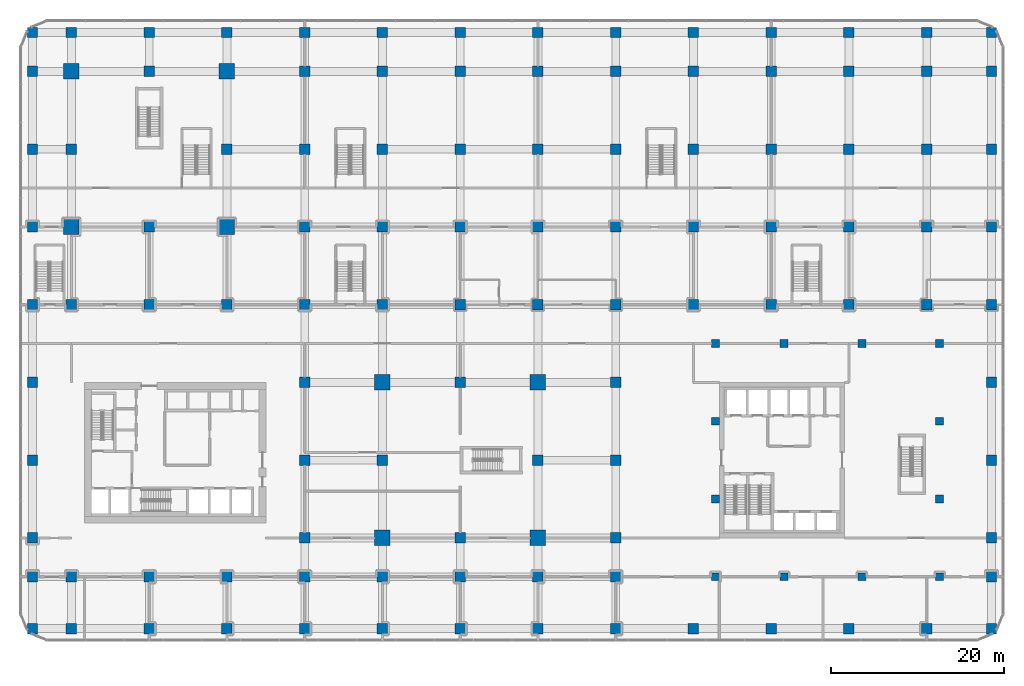
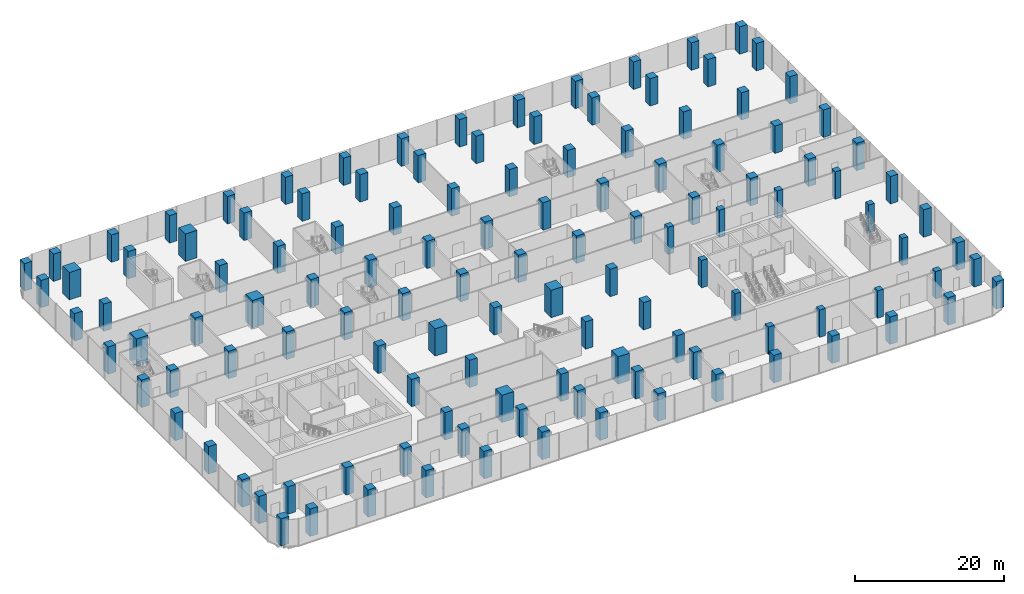
# One storey, part 1 of 43: 125 columns.
"""IFC4 building model written with IfcOpenShell, lengths in metres."""

from ifc_helpers import new_model, si_unit, direction, frame, origin, origin_2d, place, context, subcontext, project, spatial, rectangle, extrude, material, material_profile, profile_set, type_object, element, save


model = new_model("IFC4")

# Units and contexts
model_context = context("Model", 3, precision=1e-05, world=origin(), true_north=direction((0.0, 1.0)))
body_context = subcontext(model_context, "Body", "Model", "MODEL_VIEW")
ifc_project = project(units=[si_unit("LENGTHUNIT", "METRE"), si_unit("AREAUNIT", "SQUARE_METRE"), si_unit("VOLUMEUNIT", "CUBIC_METRE"), si_unit("PLANEANGLEUNIT", "RADIAN"), si_unit("MASSUNIT", "GRAM", prefix="KILO")], contexts=[model_context])

# Site, building, storey
site_placement = place(None, origin())
site = spatial("IfcSite", under=ifc_project, at=site_placement, CompositionType="ELEMENT")
building_placement = place(site_placement, origin())
building = spatial("IfcBuilding", under=site, at=building_placement, Name="Plateau Cross Towers", CompositionType="ELEMENT")
storey_placement = place(building_placement, frame((0.0, 0.0, 17.300048828125)))
storey = spatial("IfcBuildingStorey", under=building, at=storey_placement, Name="L03", CompositionType="ELEMENT", Elevation=17.300048828125)

# Columns
ifc_material = material(Name="Concrete C60/75", Category="concrete")
ifc_material_profile_1 = material_profile(ifc_material, rectangle(XDim=0.89990234375, YDim=0.89990234375, at=origin_2d()), Name="RC 900x900")
ifc_profile_set_1 = profile_set([ifc_material_profile_1], Name="Concrete C60/75")
column_type_1 = type_object("IfcColumnType", Name="Office column RC 900x900", PredefinedType="COLUMN", material=ifc_profile_set_1)
for number, where, z_axis, x_axis, name in (
    (1, (74.550048828125, -4.5, 0.0), (0.0, 0.0, 1.0), (1.0, 0.0, 0.0), "B-C746_-45 L03"),
    (2, (82.5, -4.5, 0.0), (0.0, 0.0, 1.0), (1.0, 0.0, 0.0), "B-C825_-45 L03"),
    (3, (91.5, -4.5, 0.0), (0.0, 0.0, 1.0), (1.0, 0.0, 0.0), "B-C915_-45 L03"),
    (4, (100.5, -4.5, 0.0), (0.0, 0.0, 1.0), (1.0, 0.0, 0.0), "B-C1005_-45 L03"),
    (5, (100.5, 4.5, 0.0), (0.0, 0.0, 1.0), (1.0, 0.0, 0.0), "B-C1005_45 L03"),
    (6, (100.5, 13.5, 0.0), (0.0, 0.0, 1.0), (1.0, 0.0, 0.0), "B-C1005_135 L03"),
    (7, (100.5, 22.5, 0.0), (0.0, 0.0, 1.0), (1.0, 0.0, 0.0), "B-C1005_225 L03"),
    (8, (91.5, 22.5, 0.0), (0.0, 0.0, 1.0), (1.0, 0.0, 0.0), "B-C915_225 L03"),
    (9, (82.5, 22.5, 0.0), (0.0, 0.0, 1.0), (1.0, 0.0, 0.0), "B-C825_225 L03"),
    (10, (74.550048828125, 22.5, 0.0), (0.0, 0.0, 1.0), (1.0, 0.0, 0.0), "B-C746_225 L03"),
    (11, (74.550048828125, 13.5, 0.0), (0.0, 0.0, 1.0), (1.0, 0.0, 0.0), "B-C746_135 L03"),
    (12, (74.550048828125, 4.5, 0.0), (0.0, 0.0, 1.0), (1.0, 0.0, 0.0), "B-C746_45 L03"),
):
    element("IfcColumn", number, at=place(storey_placement, frame(where, z_axis=z_axis, x_axis=x_axis)), inside=storey, type_object=column_type_1, Name=name, PredefinedType="COLUMN", context=body_context, shape_type="SweptSolid", body=[
        extrude(rectangle(XDim=0.89990234375, YDim=0.89990234375, at=origin_2d()), origin(), (0.0, 0.0, 1.0), 4.5),
    ])
ifc_material_profile_2 = material_profile(ifc_material, rectangle(XDim=1.199951171875, YDim=1.199951171875, at=origin_2d()), Name="RC 1200x1200")
ifc_profile_set_2 = profile_set([ifc_material_profile_2], Name="Concrete C60/75")
column_type_2 = type_object("IfcColumnType", Name="Podium column RC 1200x1200", PredefinedType="COLUMN", material=ifc_profile_set_2)
for number, where, z_axis, x_axis, name in (
    (13, (-4.5, -10.5, 0.0), (0.0, 0.0, 1.0), (1.0, 0.0, 0.0), "P-C-45_-105 L03"),
    (14, (-4.5, -4.5, 0.0), (0.0, 0.0, 1.0), (1.0, 0.0, 0.0), "P-C-45_-45 L03"),
    (15, (-4.5, 0.0, 0.0), (0.0, 0.0, 1.0), (1.0, 0.0, 0.0), "P-C-45_0 L03"),
    (16, (-4.5, 9.0, 0.0), (0.0, 0.0, 1.0), (1.0, 0.0, 0.0), "P-C-45_90 L03"),
    (17, (-4.5, 18.0, 0.0), (0.0, 0.0, 1.0), (1.0, 0.0, 0.0), "P-C-45_180 L03"),
    (18, (-4.5, 27.0, 0.0), (0.0, 0.0, 1.0), (1.0, 0.0, 0.0), "P-C-45_270 L03"),
    (19, (-4.5, 36.0, 0.0), (0.0, 0.0, 1.0), (1.0, 0.0, 0.0), "P-C-45_360 L03"),
    (20, (-4.5, 45.0, 0.0), (0.0, 0.0, 1.0), (1.0, 0.0, 0.0), "P-C-45_450 L03"),
    (21, (-4.5, 54.0, 0.0), (0.0, 0.0, 1.0), (1.0, 0.0, 0.0), "P-C-45_540 L03"),
    (22, (-4.5, 58.5, 0.0), (0.0, 0.0, 1.0), (1.0, 0.0, 0.0), "P-C-45_585 L03"),
    (23, (0.0, -10.5, 0.0), (0.0, 0.0, 1.0), (1.0, 0.0, 0.0), "P-C0_-105 L03"),
    (24, (0.0, -4.5, 0.0), (0.0, 0.0, 1.0), (1.0, 0.0, 0.0), "P-C0_-45 L03"),
    (25, (0.0, 27.0, 0.0), (0.0, 0.0, 1.0), (1.0, 0.0, 0.0), "P-C0_270 L03"),
    (26, (0.0, 45.0, 0.0), (0.0, 0.0, 1.0), (1.0, 0.0, 0.0), "P-C0_450 L03"),
    (27, (0.0, 58.5, 0.0), (0.0, 0.0, 1.0), (1.0, 0.0, 0.0), "P-C0_585 L03"),
    (28, (9.0, -10.5, 0.0), (0.0, 0.0, 1.0), (1.0, 0.0, 0.0), "P-C90_-105 L03"),
    (29, (9.0, -4.5, 0.0), (0.0, 0.0, 1.0), (1.0, 0.0, 0.0), "P-C90_-45 L03"),
    (30, (9.0, 27.0, 0.0), (0.0, 0.0, 1.0), (1.0, 0.0, 0.0), "P-C90_270 L03"),
    (31, (9.0, 36.0, 0.0), (0.0, 0.0, 1.0), (1.0, 0.0, 0.0), "P-C90_360 L03"),
    (32, (9.0, 54.0, 0.0), (0.0, 0.0, 1.0), (1.0, 0.0, 0.0), "P-C90_540 L03"),
    (33, (9.0, 58.5, 0.0), (0.0, 0.0, 1.0), (1.0, 0.0, 0.0), "P-C90_585 L03"),
    (34, (18.0, -10.5, 0.0), (0.0, 0.0, 1.0), (1.0, 0.0, 0.0), "P-C180_-105 L03"),
    (35, (18.0, -4.5, 0.0), (0.0, 0.0, 1.0), (1.0, 0.0, 0.0), "P-C180_-45 L03"),
    (36, (18.0, 27.0, 0.0), (0.0, 0.0, 1.0), (1.0, 0.0, 0.0), "P-C180_270 L03"),
    (37, (18.0, 45.0, 0.0), (0.0, 0.0, 1.0), (1.0, 0.0, 0.0), "P-C180_450 L03"),
    (38, (18.0, 58.5, 0.0), (0.0, 0.0, 1.0), (1.0, 0.0, 0.0), "P-C180_585 L03"),
    (39, (27.0, -10.5, 0.0), (0.0, 0.0, 1.0), (1.0, 0.0, 0.0), "P-C270_-105 L03"),
    (40, (27.0, -4.5, 0.0), (0.0, 0.0, 1.0), (1.0, 0.0, 0.0), "P-C270_-45 L03"),
    (41, (27.0, 0.0, 0.0), (0.0, 0.0, 1.0), (1.0, 0.0, 0.0), "P-C270_0 L03"),
    (42, (27.0, 9.0, 0.0), (0.0, 0.0, 1.0), (1.0, 0.0, 0.0), "P-C270_90 L03"),
    (43, (27.0, 18.0, 0.0), (0.0, 0.0, 1.0), (1.0, 0.0, 0.0), "P-C270_180 L03"),
    (44, (27.0, 27.0, 0.0), (0.0, 0.0, 1.0), (1.0, 0.0, 0.0), "P-C270_270 L03"),
    (45, (27.0, 36.0, 0.0), (0.0, 0.0, 1.0), (1.0, 0.0, 0.0), "P-C270_360 L03"),
    (46, (27.0, 45.0, 0.0), (0.0, 0.0, 1.0), (1.0, 0.0, 0.0), "P-C270_450 L03"),
    (47, (27.0, 54.0, 0.0), (0.0, 0.0, 1.0), (1.0, 0.0, 0.0), "P-C270_540 L03"),
    (48, (27.0, 58.5, 0.0), (0.0, 0.0, 1.0), (1.0, 0.0, 0.0), "P-C270_585 L03"),
    (49, (36.0, -10.5, 0.0), (0.0, 0.0, 1.0), (1.0, 0.0, 0.0), "P-C360_-105 L03"),
    (50, (36.0, -4.5, 0.0), (0.0, 0.0, 1.0), (1.0, 0.0, 0.0), "P-C360_-45 L03"),
    (51, (36.0, 9.0, 0.0), (0.0, 0.0, 1.0), (1.0, 0.0, 0.0), "P-C360_90 L03"),
    (52, (36.0, 27.0, 0.0), (0.0, 0.0, 1.0), (1.0, 0.0, 0.0), "P-C360_270 L03"),
    (53, (36.0, 36.0, 0.0), (0.0, 0.0, 1.0), (1.0, 0.0, 0.0), "P-C360_360 L03"),
    (54, (36.0, 45.0, 0.0), (0.0, 0.0, 1.0), (1.0, 0.0, 0.0), "P-C360_450 L03"),
    (55, (36.0, 54.0, 0.0), (0.0, 0.0, 1.0), (1.0, 0.0, 0.0), "P-C360_540 L03"),
    (56, (36.0, 58.5, 0.0), (0.0, 0.0, 1.0), (1.0, 0.0, 0.0), "P-C360_585 L03"),
    (57, (45.0, -10.5, 0.0), (0.0, 0.0, 1.0), (1.0, 0.0, 0.0), "P-C450_-105 L03"),
    (58, (45.0, -4.5, 0.0), (0.0, 0.0, 1.0), (1.0, 0.0, 0.0), "P-C450_-45 L03"),
    (59, (45.0, 0.0, 0.0), (0.0, 0.0, 1.0), (1.0, 0.0, 0.0), "P-C450_0 L03"),
    (60, (45.0, 18.0, 0.0), (0.0, 0.0, 1.0), (1.0, 0.0, 0.0), "P-C450_180 L03"),
    (61, (45.0, 27.0, 0.0), (0.0, 0.0, 1.0), (1.0, 0.0, 0.0), "P-C450_270 L03"),
    (62, (45.0, 36.0, 0.0), (0.0, 0.0, 1.0), (1.0, 0.0, 0.0), "P-C450_360 L03"),
    (63, (45.0, 45.0, 0.0), (0.0, 0.0, 1.0), (1.0, 0.0, 0.0), "P-C450_450 L03"),
    (64, (45.0, 54.0, 0.0), (0.0, 0.0, 1.0), (1.0, 0.0, 0.0), "P-C450_540 L03"),
    (65, (45.0, 58.5, 0.0), (0.0, 0.0, 1.0), (1.0, 0.0, 0.0), "P-C450_585 L03"),
    (66, (54.0, -10.5, 0.0), (0.0, 0.0, 1.0), (1.0, 0.0, 0.0), "P-C540_-105 L03"),
    (67, (54.0, -4.5, 0.0), (0.0, 0.0, 1.0), (1.0, 0.0, 0.0), "P-C540_-45 L03"),
    (68, (54.0, 9.0, 0.0), (0.0, 0.0, 1.0), (1.0, 0.0, 0.0), "P-C540_90 L03"),
    (69, (54.0, 27.0, 0.0), (0.0, 0.0, 1.0), (1.0, 0.0, 0.0), "P-C540_270 L03"),
    (70, (54.0, 36.0, 0.0), (0.0, 0.0, 1.0), (1.0, 0.0, 0.0), "P-C540_360 L03"),
    (71, (54.0, 45.0, 0.0), (0.0, 0.0, 1.0), (1.0, 0.0, 0.0), "P-C540_450 L03"),
    (72, (54.0, 54.0, 0.0), (0.0, 0.0, 1.0), (1.0, 0.0, 0.0), "P-C540_540 L03"),
    (73, (54.0, 58.5, 0.0), (0.0, 0.0, 1.0), (1.0, 0.0, 0.0), "P-C540_585 L03"),
    (74, (63.0, -10.5, 0.0), (0.0, 0.0, 1.0), (1.0, 0.0, 0.0), "P-C630_-105 L03"),
    (75, (63.0, -4.5, 0.0), (0.0, 0.0, 1.0), (1.0, 0.0, 0.0), "P-C630_-45 L03"),
    (76, (63.0, 0.0, 0.0), (0.0, 0.0, 1.0), (1.0, 0.0, 0.0), "P-C630_0 L03"),
    (77, (63.0, 9.0, 0.0), (0.0, 0.0, 1.0), (1.0, 0.0, 0.0), "P-C630_90 L03"),
    (78, (63.0, 18.0, 0.0), (0.0, 0.0, 1.0), (1.0, 0.0, 0.0), "P-C630_180 L03"),
    (79, (63.0, 27.0, 0.0), (0.0, 0.0, 1.0), (1.0, 0.0, 0.0), "P-C630_270 L03"),
    (80, (63.0, 36.0, 0.0), (0.0, 0.0, 1.0), (1.0, 0.0, 0.0), "P-C630_360 L03"),
    (81, (63.0, 45.0, 0.0), (0.0, 0.0, 1.0), (1.0, 0.0, 0.0), "P-C630_450 L03"),
    (82, (63.0, 54.0, 0.0), (0.0, 0.0, 1.0), (1.0, 0.0, 0.0), "P-C630_540 L03"),
    (83, (63.0, 58.5, 0.0), (0.0, 0.0, 1.0), (1.0, 0.0, 0.0), "P-C630_585 L03"),
    (84, (72.0, -10.5, 0.0), (0.0, 0.0, 1.0), (1.0, 0.0, 0.0), "P-C720_-105 L03"),
    (85, (72.0, 27.0, 0.0), (0.0, 0.0, 1.0), (1.0, 0.0, 0.0), "P-C720_270 L03"),
    (86, (72.0, 36.0, 0.0), (0.0, 0.0, 1.0), (1.0, 0.0, 0.0), "P-C720_360 L03"),
    (87, (72.0, 45.0, 0.0), (0.0, 0.0, 1.0), (1.0, 0.0, 0.0), "P-C720_450 L03"),
    (88, (72.0, 54.0, 0.0), (0.0, 0.0, 1.0), (1.0, 0.0, 0.0), "P-C720_540 L03"),
    (89, (72.0, 58.5, 0.0), (0.0, 0.0, 1.0), (1.0, 0.0, 0.0), "P-C720_585 L03"),
    (90, (81.0, -10.5, 0.0), (0.0, 0.0, 1.0), (1.0, 0.0, 0.0), "P-C810_-105 L03"),
    (91, (81.0, 27.0, 0.0), (0.0, 0.0, 1.0), (1.0, 0.0, 0.0), "P-C810_270 L03"),
    (92, (81.0, 36.0, 0.0), (0.0, 0.0, 1.0), (1.0, 0.0, 0.0), "P-C810_360 L03"),
    (93, (81.0, 45.0, 0.0), (0.0, 0.0, 1.0), (1.0, 0.0, 0.0), "P-C810_450 L03"),
    (94, (81.0, 54.0, 0.0), (0.0, 0.0, 1.0), (1.0, 0.0, 0.0), "P-C810_540 L03"),
    (95, (81.0, 58.5, 0.0), (0.0, 0.0, 1.0), (1.0, 0.0, 0.0), "P-C810_585 L03"),
    (96, (90.0, -10.5, 0.0), (0.0, 0.0, 1.0), (1.0, 0.0, 0.0), "P-C900_-105 L03"),
    (97, (90.0, 27.0, 0.0), (0.0, 0.0, 1.0), (1.0, 0.0, 0.0), "P-C900_270 L03"),
    (98, (90.0, 36.0, 0.0), (0.0, 0.0, 1.0), (1.0, 0.0, 0.0), "P-C900_360 L03"),
    (99, (90.0, 45.0, 0.0), (0.0, 0.0, 1.0), (1.0, 0.0, 0.0), "P-C900_450 L03"),
    (100, (90.0, 54.0, 0.0), (0.0, 0.0, 1.0), (1.0, 0.0, 0.0), "P-C900_540 L03"),
    (101, (90.0, 58.5, 0.0), (0.0, 0.0, 1.0), (1.0, 0.0, 0.0), "P-C900_585 L03"),
    (102, (99.0, -10.5, 0.0), (0.0, 0.0, 1.0), (1.0, 0.0, 0.0), "P-C990_-105 L03"),
    (103, (99.0, 27.0, 0.0), (0.0, 0.0, 1.0), (1.0, 0.0, 0.0), "P-C990_270 L03"),
    (104, (99.0, 36.0, 0.0), (0.0, 0.0, 1.0), (1.0, 0.0, 0.0), "P-C990_360 L03"),
    (105, (99.0, 45.0, 0.0), (0.0, 0.0, 1.0), (1.0, 0.0, 0.0), "P-C990_450 L03"),
    (106, (99.0, 54.0, 0.0), (0.0, 0.0, 1.0), (1.0, 0.0, 0.0), "P-C990_540 L03"),
    (107, (99.0, 58.5, 0.0), (0.0, 0.0, 1.0), (1.0, 0.0, 0.0), "P-C990_585 L03"),
    (108, (106.5, -10.5, 0.0), (0.0, 0.0, 1.0), (1.0, 0.0, 0.0), "P-C1065_-105 L03"),
    (109, (106.5, -4.5, 0.0), (0.0, 0.0, 1.0), (1.0, 0.0, 0.0), "P-C1065_-45 L03"),
    (110, (106.5, 0.0, 0.0), (0.0, 0.0, 1.0), (1.0, 0.0, 0.0), "P-C1065_0 L03"),
    (111, (106.5, 9.0, 0.0), (0.0, 0.0, 1.0), (1.0, 0.0, 0.0), "P-C1065_90 L03"),
    (112, (106.5, 18.0, 0.0), (0.0, 0.0, 1.0), (1.0, 0.0, 0.0), "P-C1065_180 L03"),
    (113, (106.5, 27.0, 0.0), (0.0, 0.0, 1.0), (1.0, 0.0, 0.0), "P-C1065_270 L03"),
    (114, (106.5, 36.0, 0.0), (0.0, 0.0, 1.0), (1.0, 0.0, 0.0), "P-C1065_360 L03"),
    (115, (106.5, 45.0, 0.0), (0.0, 0.0, 1.0), (1.0, 0.0, 0.0), "P-C1065_450 L03"),
    (116, (106.5, 54.0, 0.0), (0.0, 0.0, 1.0), (1.0, 0.0, 0.0), "P-C1065_540 L03"),
    (117, (106.5, 58.5, 0.0), (0.0, 0.0, 1.0), (1.0, 0.0, 0.0), "P-C1065_585 L03"),
):
    element("IfcColumn", number, at=place(storey_placement, frame(where, z_axis=z_axis, x_axis=x_axis)), inside=storey, type_object=column_type_2, Name=name, PredefinedType="COLUMN", context=body_context, shape_type="SweptSolid", body=[
        extrude(rectangle(XDim=1.199951171875, YDim=1.199951171875, at=origin_2d()), origin(), (0.0, 0.0, 1.0), 4.5),
    ])
ifc_material_profile_3 = material_profile(ifc_material, rectangle(XDim=1.800048828125, YDim=1.800048828125, at=origin_2d()), Name="RC 1800x1800")
ifc_profile_set_3 = profile_set([ifc_material_profile_3], Name="Concrete C60/75")
column_type_3 = type_object("IfcColumnType", Name="Transfer column RC 1800x1800", PredefinedType="COLUMN", material=ifc_profile_set_3)
for number, where, z_axis, x_axis, name in (
    (118, (0.0, 36.0, 0.0), (0.0, 0.0, 1.0), (1.0, 0.0, 0.0), "P-C0_360 L03"),
    (119, (0.0, 54.0, 0.0), (0.0, 0.0, 1.0), (1.0, 0.0, 0.0), "P-C0_540 L03"),
    (120, (18.0, 36.0, 0.0), (0.0, 0.0, 1.0), (1.0, 0.0, 0.0), "P-C180_360 L03"),
    (121, (18.0, 54.0, 0.0), (0.0, 0.0, 1.0), (1.0, 0.0, 0.0), "P-C180_540 L03"),
    (122, (36.0, 0.0, 0.0), (0.0, 0.0, 1.0), (1.0, 0.0, 0.0), "P-C360_0 L03"),
    (123, (36.0, 18.0, 0.0), (0.0, 0.0, 1.0), (1.0, 0.0, 0.0), "P-C360_180 L03"),
    (124, (54.0, 0.0, 0.0), (0.0, 0.0, 1.0), (1.0, 0.0, 0.0), "P-C540_0 L03"),
    (125, (54.0, 18.0, 0.0), (0.0, 0.0, 1.0), (1.0, 0.0, 0.0), "P-C540_180 L03"),
):
    element("IfcColumn", number, at=place(storey_placement, frame(where, z_axis=z_axis, x_axis=x_axis)), inside=storey, type_object=column_type_3, Name=name, PredefinedType="COLUMN", context=body_context, shape_type="SweptSolid", body=[
        extrude(rectangle(XDim=1.800048828125, YDim=1.800048828125, at=origin_2d()), origin(), (0.0, 0.0, 1.0), 4.5),
    ])

save(model, "model.ifc")
